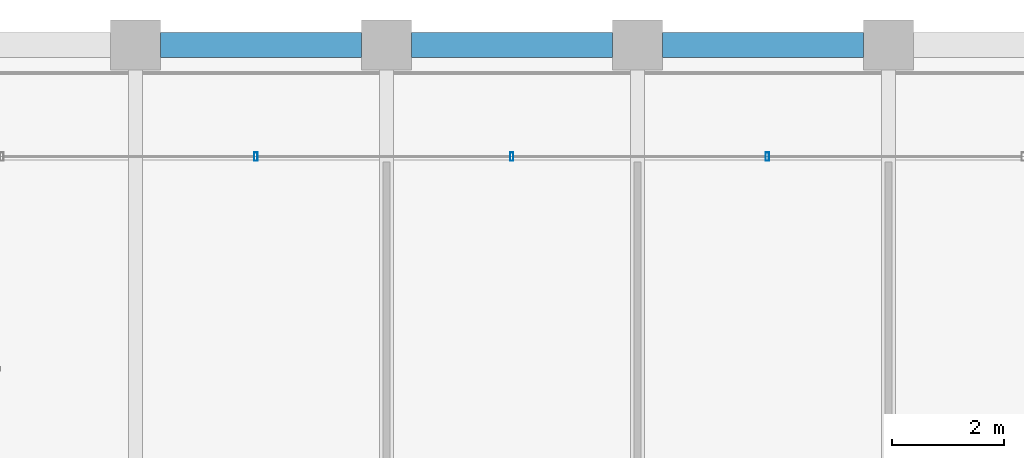
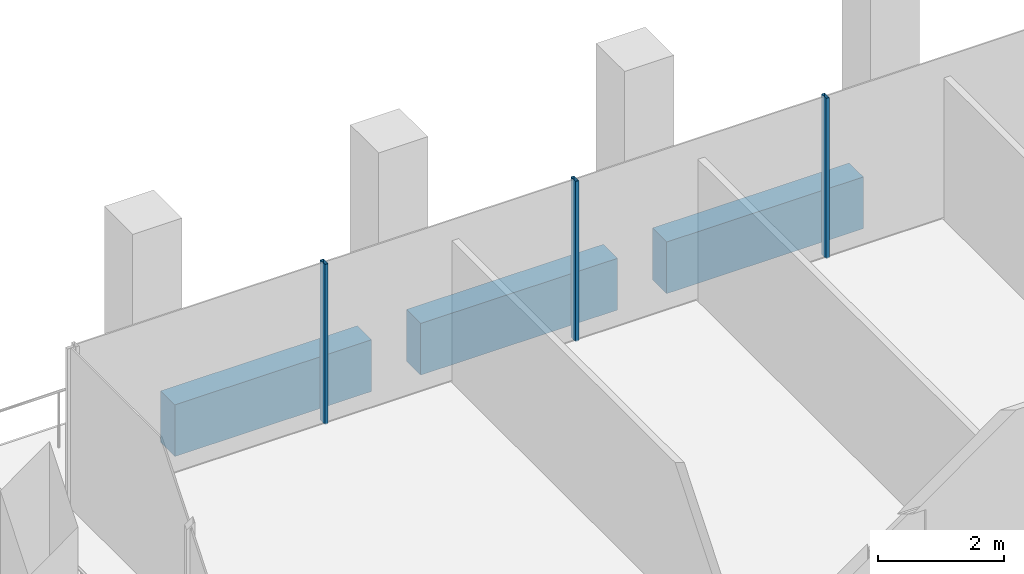
# One storey, part 23 of 40: 3 beams, 3 members, 1 element without a shape of its own.
"""IFC4 building model written with IfcOpenShell, lengths in metres."""

from ifc_helpers import new_model, si_unit, direction, frame, origin, origin_2d, place, context, subcontext, project, spatial, rectangle, hollow_rectangle, extrude, material, material_profile, profile_set, type_object, element, aggregate, save


model = new_model("IFC4")

# Units and contexts
model_context = context("Model", 3, precision=1e-05, world=origin(), true_north=direction((0.0, 1.0)))
body_context = subcontext(model_context, "Body", "Model", "MODEL_VIEW")
ifc_project = project(units=[si_unit("LENGTHUNIT", "METRE"), si_unit("AREAUNIT", "SQUARE_METRE"), si_unit("VOLUMEUNIT", "CUBIC_METRE"), si_unit("PLANEANGLEUNIT", "RADIAN"), si_unit("MASSUNIT", "GRAM", prefix="KILO")], contexts=[model_context])

# Site, building, storey
site_placement = place(None, origin())
site = spatial("IfcSite", under=ifc_project, at=site_placement, CompositionType="ELEMENT")
building_placement = place(site_placement, origin())
building = spatial("IfcBuilding", under=site, at=building_placement, Name="Altepetl Exchange Towers", CompositionType="ELEMENT")
storey_placement = place(building_placement, frame((0.0, 0.0, 165.39990234375)))
storey = spatial("IfcBuildingStorey", under=building, at=storey_placement, Name="L41", CompositionType="ELEMENT", Elevation=165.39990234375)

# Curtain wall, members
ifc_material_1 = material(Name="Aluminium 6063-T6 glazing", Category="aluminium")
curtain_wall_type = type_object("IfcCurtainWallType", Name="Loggia glazing system", PredefinedType="NOTDEFINED", material=ifc_material_1)
curtain_wall_placement = place(storey_placement, origin())
curtain_wall = element("IfcCurtainWall", 1, at=curtain_wall_placement, inside=storey, type_object=curtain_wall_type, Name="CW1 run", PredefinedType="NOTDEFINED")
ifc_material_2 = material(Name="Aluminium 6063-T6", Category="aluminium")
ifc_material_profile_1 = material_profile(ifc_material_2, hollow_rectangle(XDim=0.06005859375, YDim=0.14990234375, WallThickness=0.0029296875, at=origin_2d()), Name="Mullion 60x150 aluminium")
ifc_profile_set_1 = profile_set([ifc_material_profile_1], Name="Aluminium 6063-T6")
member_type = type_object("IfcMemberType", Name="Mullion 60x150 aluminium", PredefinedType="MULLION", material=ifc_profile_set_1)
member_1_placement = place(storey_placement, frame((56.330078125, 70.0, 0.0), z_axis=(0.0, 0.0, 1.0), x_axis=(-1.0, 0.0, 0.0)))
member_1 = element("IfcMember", 2, at=member_1_placement, type_object=member_type, Name="MU1 mullion", PredefinedType="MULLION", context=body_context, shape_type="SweptSolid", body=[
    extrude(hollow_rectangle(XDim=0.06005859375, YDim=0.14990234375, WallThickness=0.0029296875, at=origin_2d()), origin(), (0.0, 0.0, 1.0), 3.10009765625),
])
member_2_placement = place(storey_placement, frame((51.7451171875, 70.0, 0.0), z_axis=(0.0, 0.0, 1.0), x_axis=(-1.0, 0.0, 0.0)))
member_2 = element("IfcMember", 3, at=member_2_placement, type_object=member_type, Name="MU1 mullion", PredefinedType="MULLION", context=body_context, shape_type="SweptSolid", body=[
    extrude(hollow_rectangle(XDim=0.06005859375, YDim=0.14990234375, WallThickness=0.0029296875, at=origin_2d()), origin(), (0.0, 0.0, 1.0), 3.10009765625),
])
member_3_placement = place(storey_placement, frame((47.159912109375, 70.0, 0.0), z_axis=(0.0, 0.0, 1.0), x_axis=(-1.0, 0.0, 0.0)))
member_3 = element("IfcMember", 4, at=member_3_placement, type_object=member_type, Name="MU1 mullion", PredefinedType="MULLION", context=body_context, shape_type="SweptSolid", body=[
    extrude(hollow_rectangle(XDim=0.06005859375, YDim=0.14990234375, WallThickness=0.0029296875, at=origin_2d()), origin(), (0.0, 0.0, 1.0), 3.10009765625),
])
aggregate(curtain_wall, [member_1, member_2, member_3])

# Beams
ifc_material_3 = material(Name="Concrete C50/60 precast with cantera rosa facing", Category="concrete")
ifc_material_profile_2 = material_profile(ifc_material_3, rectangle(XDim=0.449951171875, YDim=1.0, at=origin_2d()), Name="450 x 1000")
ifc_profile_set_2 = profile_set([ifc_material_profile_2], Name="Concrete C50/60 precast with cantera rosa facing")
beam_type = type_object("IfcBeamType", Name="Spandrel beam 450x1000 cantera rosa", PredefinedType="SPANDREL", material=ifc_profile_set_2)
for number, where, z_axis, x_axis, name in (
    (5, (58.050048828125, 72.0, -0.64990234375), (-1.0, 0.0, 0.0), (0.0, -1.0, 0.0), "sp:A:L41:026"),
    (6, (53.550048828125, 72.0, -0.64990234375), (-1.0, 0.0, 0.0), (0.0, -1.0, 0.0), "sp:A:L41:027"),
    (7, (49.050048828125, 72.0, -0.64990234375), (-1.0, 0.0, 0.0), (0.0, -1.0, 0.0), "sp:A:L41:028"),
):
    element("IfcBeam", number, at=place(storey_placement, frame(where, z_axis=z_axis, x_axis=x_axis)), inside=storey, type_object=beam_type, Name=name, PredefinedType="SPANDREL", context=body_context, shape_type="SweptSolid", body=[
        extrude(rectangle(XDim=0.449951171875, YDim=1.0, at=origin_2d()), origin(), (0.0, 0.0, 1.0), 3.60009765625),
    ])

save(model, "model.ifc")
